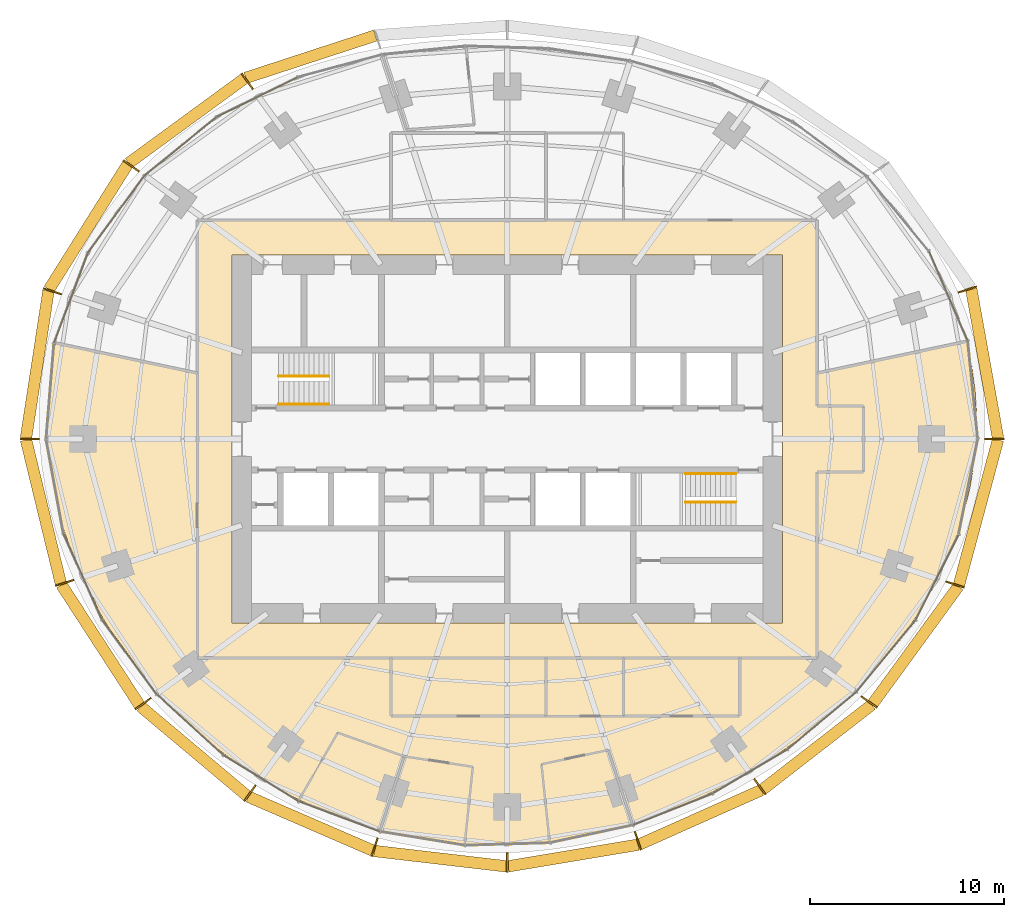
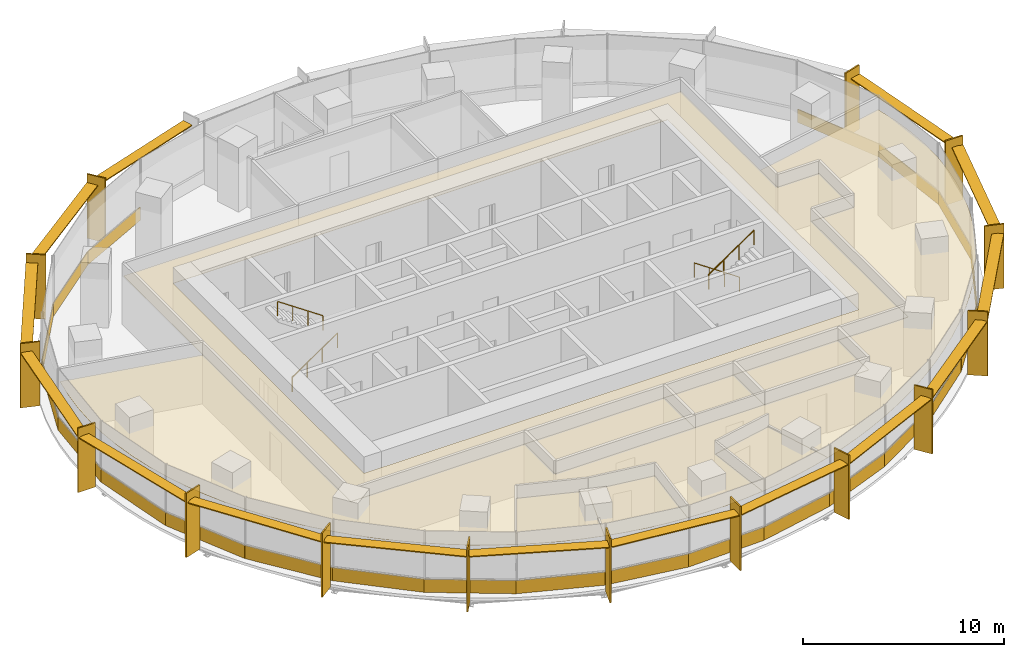
# One storey, part 14 of 15: 30 coverings, 30 shading devices, 4 railings.
"""IFC4 building model written with IfcOpenShell, lengths in metres."""

import ifcopenshell
import ifcopenshell.guid

model = None  # the IFC model being written
_history = None  # IfcOwnerHistory: only IFC2X3 demands one
_inside = {}  # id of a spatial element -> (the spatial element, [elements in it])
_under = {}  # id of a project, library or spatial element -> (it, [spatial elements below it])
_declared = {}  # id of a project -> (the project, [libraries it declares])
_typed = {}  # id of a type object -> (the type object, [elements of that type])
_made_of = {}  # id of a material, layer set ... -> (it, [elements and type objects made of it])


def new_model(schema):
    """Start an empty IFC model of exactly this schema.

    Asked for "IFC4X3", IfcOpenShell would pick the latest addendum, in which some entities
    have other attributes; the version numbers below select the first issue.
    IFC2X3 requires an IfcOwnerHistory on every rooted entity: one is made here for all.
    """
    global model, _history
    if schema == "IFC4X3":
        model = ifcopenshell.file(schema_version=(4, 3, 0, 0))
    else:
        model = ifcopenshell.file(schema=schema)
    _inside.clear()
    _under.clear()
    _declared.clear()
    _typed.clear()
    _made_of.clear()
    _history = None
    if model.schema == "IFC2X3":
        org = make("IfcOrganization", Name="unknown")
        user = make(
            "IfcPersonAndOrganization",
            ThePerson=make("IfcPerson", FamilyName="unknown"),
            TheOrganization=org,
        )
        app = make(
            "IfcApplication",
            ApplicationDeveloper=org,
            Version="unknown",
            ApplicationFullName="unknown",
            ApplicationIdentifier="unknown",
        )
        _history = make(
            "IfcOwnerHistory",
            OwningUser=user,
            OwningApplication=app,
            ChangeAction="ADDED",
            CreationDate=0,
        )
    return model


def make(cls, **values):
    """One entity of the class cls with the attributes given. An attribute that is None is left unset."""
    return model.create_entity(
        cls, **{name: value for name, value in values.items() if value is not None}
    )


def rooted(cls, **values):
    """An entity with a GlobalId (a new one), such as an element, a storey or a relation."""
    return make(cls, GlobalId=ifcopenshell.guid.new(), OwnerHistory=_history, **values)


def si_unit(unit_type, name, prefix=None):
    """IfcSIUnit, for example si_unit("LENGTHUNIT", "METRE", prefix="MILLI")."""
    return make("IfcSIUnit", UnitType=unit_type, Prefix=prefix, Name=name)


def assignment(units):
    """IfcUnitAssignment: the units of a project."""
    return None if units is None else make("IfcUnitAssignment", Units=units)


def point(xyz):
    """IfcCartesianPoint."""
    return None if xyz is None else make("IfcCartesianPoint", Coordinates=xyz)


def direction(xyz):
    """IfcDirection."""
    return None if xyz is None else make("IfcDirection", DirectionRatios=xyz)


def frame(location, z_axis=None, x_axis=None):
    """IfcAxis2Placement3D, a coordinate frame: its origin and axes. An axis left out is left unset."""
    return make(
        "IfcAxis2Placement3D",
        Location=point(location),
        Axis=direction(z_axis),
        RefDirection=direction(x_axis),
    )


def frame_2d(location, x_axis=None):
    """IfcAxis2Placement2D, a coordinate frame in the plane: its origin and x axis."""
    return make(
        "IfcAxis2Placement2D", Location=point(location), RefDirection=direction(x_axis)
    )


def origin():
    """The frame at (0, 0, 0) with its axes left unset."""
    return frame((0.0, 0.0, 0.0))


def origin_2d():
    """The frame at (0, 0) in the plane with its x axis left unset."""
    return frame_2d((0.0, 0.0))


def place(relative_to, where):
    """IfcLocalPlacement: puts the frame where relative to a parent placement (None: the world)."""
    return make(
        "IfcLocalPlacement", PlacementRelTo=relative_to, RelativePlacement=where
    )


def context(
    kind, dimensions, precision=None, world=None, true_north=None, identifier=None
):
    """IfcGeometricRepresentationContext, for example the 3D "Model" context."""
    return make(
        "IfcGeometricRepresentationContext",
        ContextIdentifier=identifier,
        ContextType=kind,
        CoordinateSpaceDimension=dimensions,
        Precision=precision,
        WorldCoordinateSystem=world,
        TrueNorth=true_north,
    )


def subcontext(parent, identifier, kind, view, scale=None):
    """IfcGeometricRepresentationSubContext, for example "Body" below "Model"."""
    return make(
        "IfcGeometricRepresentationSubContext",
        ContextIdentifier=identifier,
        ContextType=kind,
        ParentContext=parent,
        TargetScale=scale,
        TargetView=view,
    )


def project(units=None, contexts=None):
    """IfcProject with its units and contexts."""
    return rooted(
        "IfcProject",
        Name="project",
        RepresentationContexts=contexts,
        UnitsInContext=assignment(units),
    )


def spatial(cls, under=None, at=None, **own):
    """A site, building, storey or space (cls), placed at a placement, below another one or the project."""
    s = rooted(cls, ObjectPlacement=at, **own)
    if under is not None:
        _under.setdefault(under.id(), (under, []))[1].append(s)
    return s


def polyline(points):
    """IfcPolyline through the points."""
    return make("IfcPolyline", Points=[point(p) for p in points])


def profile(cls, at=None, kind="AREA", **sizes):
    """A parametric profile (cls). Its sizes go by their IFC names, for example OverallWidth=200.0."""
    return make(cls, ProfileType=kind, Position=at, **sizes)


def rectangle(**sizes):
    """IfcRectangleProfileDef."""
    return profile("IfcRectangleProfileDef", **sizes)


def circle(**sizes):
    """IfcCircleProfileDef."""
    return profile("IfcCircleProfileDef", **sizes)


def outline(outer, holes=None, kind="AREA"):
    """IfcArbitraryClosedProfileDef: a profile drawn as a closed curve; with holes, ...WithVoids."""
    if holes is None:
        return make("IfcArbitraryClosedProfileDef", ProfileType=kind, OuterCurve=outer)
    return make(
        "IfcArbitraryProfileDefWithVoids",
        ProfileType=kind,
        OuterCurve=outer,
        InnerCurves=holes,
    )


def extrude(swept, where, along, depth):
    """IfcExtrudedAreaSolid: the profile swept, set in the frame where, extruded along a direction by depth."""
    return make(
        "IfcExtrudedAreaSolid",
        SweptArea=swept,
        Position=where,
        ExtrudedDirection=direction(along),
        Depth=depth,
    )


def shape(context_of_items, identifier, shape_type, items):
    """IfcShapeRepresentation: the items that make up one representation, for example the "Body"."""
    return make(
        "IfcShapeRepresentation",
        ContextOfItems=context_of_items,
        RepresentationIdentifier=identifier,
        RepresentationType=shape_type,
        Items=items,
    )


def material(Name=None, Category=None):
    """IfcMaterial."""
    return make("IfcMaterial", Name=Name, Category=Category)


def layer(
    of_material, thickness, ventilated=None, Name=None, Category=None, Priority=None
):
    """IfcMaterialLayer: one layer of a wall or slab, of a material (None: an air gap)."""
    return make(
        "IfcMaterialLayer",
        Material=of_material,
        LayerThickness=thickness,
        IsVentilated=ventilated,
        Name=Name,
        Category=Category,
        Priority=Priority,
    )


def layer_set(layers, Name=None):
    """IfcMaterialLayerSet."""
    return make("IfcMaterialLayerSet", MaterialLayers=layers, LayerSetName=Name)


def made_of(thing, what):
    """Note that an element or type object is made of a material, layer set ...; save() writes the relation."""
    if what is not None:
        _made_of.setdefault(what.id(), (what, []))[1].append(thing)
    return thing


def type_object(cls, material=None, **own):
    """A type object (cls), such as IfcWallType, which elements share."""
    return made_of(rooted(cls, **own), material)


def element(
    cls,
    number,
    at=None,
    inside=None,
    cuts=None,
    type_object=None,
    material=None,
    context=None,
    identifier="Body",
    shape_type=None,
    held_by="IfcProductDefinitionShape",
    body=None,
    shapes=None,
    **own,
):
    """One element of the class cls, such as IfcWall. Its Tag is "e" and its number.

    at: its placement. inside: the storey or other place that contains it. cuts: it is an
    opening in that element (IfcRelVoidsElement). A single representation is given by context,
    identifier, shape_type and body (its items); several are given by shapes. held_by: the class
    of the entity that holds the representations. save() writes the other relations.
    """
    e = rooted(cls, Tag="e%d" % number, ObjectPlacement=at, **own)
    if body is not None:
        shapes = [shape(context, identifier, shape_type, body)]
    if shapes is not None:
        e.Representation = make(held_by, Representations=shapes)
    if inside is not None:
        _inside.setdefault(inside.id(), (inside, []))[1].append(e)
    if cuts is not None:
        rooted(
            "IfcRelVoidsElement", RelatingBuildingElement=cuts, RelatedOpeningElement=e
        )
    if type_object is not None:
        _typed.setdefault(type_object.id(), (type_object, []))[1].append(e)
    return made_of(e, material)


def aggregate(whole, parts):
    """IfcRelAggregates: a whole, such as a stair, and the parts it consists of."""
    return rooted("IfcRelAggregates", RelatingObject=whole, RelatedObjects=parts)


def save(model, path):
    """Write the relations noted so far, then the file.

    IfcRelAggregates (storeys below a building ...), IfcRelContainedInSpatialStructure (elements
    in a storey), IfcRelDefinesByType, IfcRelAssociatesMaterial and IfcRelDeclares: one each for
    every whole, place, type object, material and project.
    """
    for whole, parts in _under.values():
        aggregate(whole, parts)
    for where, things in _inside.values():
        rooted(
            "IfcRelContainedInSpatialStructure",
            RelatedElements=things,
            RelatingStructure=where,
        )
    for kind, things in _typed.values():
        rooted("IfcRelDefinesByType", RelatedObjects=things, RelatingType=kind)
    for what, things in _made_of.values():
        rooted("IfcRelAssociatesMaterial", RelatedObjects=things, RelatingMaterial=what)
    for by, libraries in _declared.values():
        rooted("IfcRelDeclares", RelatingContext=by, RelatedDefinitions=libraries)
    model.write(path)


model = new_model("IFC4")

# Units and contexts
model_context = context("Model", 3, precision=1e-05, world=origin(), true_north=direction((0.0, 1.0)))
body_context = subcontext(model_context, "Body", "Model", "MODEL_VIEW")
ifc_project = project(units=[si_unit("LENGTHUNIT", "METRE"), si_unit("AREAUNIT", "SQUARE_METRE"), si_unit("VOLUMEUNIT", "CUBIC_METRE"), si_unit("PLANEANGLEUNIT", "RADIAN"), si_unit("MASSUNIT", "GRAM", prefix="KILO")], contexts=[model_context])

# Site, building, storey
site_placement = place(None, origin())
site = spatial("IfcSite", under=ifc_project, at=site_placement, CompositionType="ELEMENT")
building_placement = place(site_placement, origin())
building = spatial("IfcBuilding", under=site, at=building_placement, Name="Marramba Exchange Tower", CompositionType="ELEMENT")
storey_placement = place(building_placement, frame((0.0, 0.0, 230.60009765625)))
storey = spatial("IfcBuildingStorey", under=building, at=storey_placement, Name="L56", CompositionType="ELEMENT", Elevation=230.60009765625)

# Shading devices
ifc_material_1 = material(Name="Aluminium blade, timber-look bronze finish", Category="wood")
ifc_layer_1 = layer(ifc_material_1, 0.080078125)
ifc_layer_set_1 = layer_set([ifc_layer_1], Name="Floor-edge blade 1000x80")
shading_device_type_1 = type_object("IfcShadingDeviceType", Name="Floor-edge blade 1000x80", PredefinedType="USERDEFINED", material=ifc_layer_set_1)
for number, where, z_axis, x_axis, name in (
    (1, (25.14404296875, 0.0, -0.16015625), (0.0, 0.0, 1.0), (1.0, 0.0, 0.0), "Floor-edge blade FB1 L56 TC01"),
    (2, (23.757080078125, 7.718994140625, -0.16015625), (0.0, 0.0, 1.0), (0.951056516295, 0.309016994375, 0.0), "Floor-edge blade FB1 L56 TC02"),
    (3, (-13.422607421875, 18.474609375, -0.16015625), (0.0, 0.0, 1.0), (-0.587785252292, 0.809016994375, 0.0), "Floor-edge blade FB1 L56 TC08"),
    (4, (-19.4140625, 14.105224609375, -0.16015625), (0.0, 0.0, 1.0), (-0.809016994375, 0.587785252292, 0.0), "Floor-edge blade FB1 L56 TC09"),
    (5, (-23.488525390625, 7.6318359375, -0.16015625), (0.0, 0.0, 1.0), (-0.951056516295, 0.309016994375, 0.0), "Floor-edge blade FB1 L56 TC10"),
    (6, (-24.656005859375, 0.0, -0.16015625), (0.0, 0.0, 1.0), (-1.0, 0.0, 0.0), "Floor-edge blade FB1 L56 TC11"),
    (7, (-22.848876953125, -7.424072265625, -0.16015625), (0.0, 0.0, 1.0), (-0.951056516295, -0.309016994375, 0.0), "Floor-edge blade FB1 L56 TC12"),
    (8, (-18.7998046875, -13.658935546875, -0.16015625), (0.0, 0.0, 1.0), (-0.809016994375, -0.587785252292, 0.0), "Floor-edge blade FB1 L56 TC13"),
    (9, (-13.2841796875, -18.2841796875, -0.16015625), (0.0, 0.0, 1.0), (-0.587785252292, -0.809016994375, 0.0), "Floor-edge blade FB1 L56 TC14"),
    (10, (-6.845703125, -21.069091796875, -0.16015625), (0.0, 0.0, 1.0), (-0.309016994375, -0.951056516295, 0.0), "Floor-edge blade FB1 L56 TC15"),
    (11, (0.0, -21.86376953125, -0.16015625), (0.0, 0.0, 1.0), (0.0, -1.0, 0.0), "Floor-edge blade FB1 L56 TC16"),
    (12, (6.739501953125, -20.741943359375, -0.16015625), (0.0, 0.0, 1.0), (0.309016994375, -0.951056516295, 0.0), "Floor-edge blade FB1 L56 TC17"),
    (13, (13.0380859375, -17.9453125, -0.16015625), (0.0, 0.0, 1.0), (0.587785252292, -0.809016994375, 0.0), "Floor-edge blade FB1 L56 TC18"),
    (14, (18.6845703125, -13.5751953125, -0.16015625), (0.0, 0.0, 1.0), (0.809016994375, -0.587785252292, 0.0), "Floor-edge blade FB1 L56 TC19"),
    (15, (23.1171875, -7.51123046875, -0.16015625), (0.0, 0.0, 1.0), (0.951056516295, -0.309016994375, 0.0), "Floor-edge blade FB1 L56 TC20"),
):
    element("IfcShadingDevice", number, at=place(storey_placement, frame(where, z_axis=z_axis, x_axis=x_axis)), inside=storey, type_object=shading_device_type_1, Name=name, ObjectType="FIN", PredefinedType="USERDEFINED", context=body_context, shape_type="SweptSolid", body=[
        extrude(rectangle(XDim=1.0, YDim=0.080078125, at=origin_2d()), origin(), (0.0, 0.0, 1.0), 3.89990234375),
    ])
ifc_material_2 = material(Name="Aluminium sunshade, bronze anodised", Category="aluminium")
ifc_layer_2 = layer(ifc_material_2, 0.06005859375)
ifc_layer_set_2 = layer_set([ifc_layer_2], Name="SUNSHADE blade 600x60")
shading_device_type_2 = type_object("IfcShadingDeviceType", Name="SUNSHADE blade 600x60", PredefinedType="USERDEFINED", material=ifc_layer_set_2)
shading_device_1_placement = place(storey_placement, frame((24.6455078125, 3.890380859375, 3.159912109375), z_axis=(0.0, 0.0, 1.0), x_axis=(-0.176690623809, 0.984266439262, 0.0)))
element("IfcShadingDevice", 16, at=shading_device_1_placement, inside=storey, type_object=shading_device_type_2, Name="Sunshade SS1 L56 bay 01", ObjectType="SUNSHADE", PredefinedType="USERDEFINED", context=body_context, shape_type="SweptSolid", body=[
    extrude(rectangle(XDim=7.8251953125, YDim=0.60009765625, at=origin_2d()), origin(), (0.0, 0.0, 1.0), 0.06005859375),
])
shading_device_2_placement = place(storey_placement, frame((-10.156982421875, 19.741943359375, 3.159912109375), z_axis=(0.0, 0.0, 1.0), x_axis=(-0.950537602937, -0.310609506297, 0.0)))
element("IfcShadingDevice", 17, at=shading_device_2_placement, inside=storey, type_object=shading_device_type_2, Name="Sunshade SS1 L56 bay 07", ObjectType="SUNSHADE", PredefinedType="USERDEFINED", context=body_context, shape_type="SweptSolid", body=[
    extrude(rectangle(XDim=7.03857421875, YDim=0.60009765625, at=origin_2d()), origin(), (0.0, 0.0, 1.0), 0.06005859375),
])
shading_device_3_placement = place(storey_placement, frame((-16.55810546875, 16.4296875, 3.159912109375), z_axis=(0.0, 0.0, 1.0), x_axis=(-0.80719390073, -0.59028637679, 0.0)))
element("IfcShadingDevice", 18, at=shading_device_3_placement, inside=storey, type_object=shading_device_type_2, Name="Sunshade SS1 L56 bay 08", ObjectType="SUNSHADE", PredefinedType="USERDEFINED", context=body_context, shape_type="SweptSolid", body=[
    extrude(rectangle(XDim=7.3974609375, YDim=0.60009765625, at=origin_2d()), origin(), (0.0, 0.0, 1.0), 0.06005859375),
])
shading_device_4_placement = place(storey_placement, frame((-21.62744140625, 10.958251953125, 3.159912109375), z_axis=(0.0, 0.0, 1.0), x_axis=(-0.532082259983, -0.846692664792, 0.0)))
element("IfcShadingDevice", 19, at=shading_device_4_placement, inside=storey, type_object=shading_device_type_2, Name="Sunshade SS1 L56 bay 09", ObjectType="SUNSHADE", PredefinedType="USERDEFINED", context=body_context, shape_type="SweptSolid", body=[
    extrude(rectangle(XDim=7.631103515625, YDim=0.60009765625, at=origin_2d()), origin(), (0.0, 0.0, 1.0), 0.06005859375),
])
shading_device_5_placement = place(storey_placement, frame((-24.267333984375, 3.846923828125, 3.159912109375), z_axis=(0.0, 0.0, 1.0), x_axis=(-0.151240669327, -0.988496970123, 0.0)))
element("IfcShadingDevice", 20, at=shading_device_5_placement, inside=storey, type_object=shading_device_type_2, Name="Sunshade SS1 L56 bay 10", ObjectType="SUNSHADE", PredefinedType="USERDEFINED", context=body_context, shape_type="SweptSolid", body=[
    extrude(rectangle(XDim=7.703369140625, YDim=0.60009765625, at=origin_2d()), origin(), (0.0, 0.0, 1.0), 0.06005859375),
])
shading_device_6_placement = place(storey_placement, frame((-23.947509765625, -3.742919921875, 3.159912109375), z_axis=(0.0, 0.0, 1.0), x_axis=(0.235861488454, -0.971786683519, 0.0)))
element("IfcShadingDevice", 21, at=shading_device_6_placement, inside=storey, type_object=shading_device_type_2, Name="Sunshade SS1 L56 bay 11", ObjectType="SUNSHADE", PredefinedType="USERDEFINED", context=body_context, shape_type="SweptSolid", body=[
    extrude(rectangle(XDim=7.623291015625, YDim=0.60009765625, at=origin_2d()), origin(), (0.0, 0.0, 1.0), 0.06005859375),
])
shading_device_7_placement = place(storey_placement, frame((-21.000244140625, -10.631103515625, 3.159912109375), z_axis=(0.0, 0.0, 1.0), x_axis=(0.543921771105, -0.839135928749, 0.0)))
element("IfcShadingDevice", 22, at=shading_device_7_placement, inside=storey, type_object=shading_device_type_2, Name="Sunshade SS1 L56 bay 12", ObjectType="SUNSHADE", PredefinedType="USERDEFINED", context=body_context, shape_type="SweptSolid", body=[
    extrude(rectangle(XDim=7.41650390625, YDim=0.60009765625, at=origin_2d()), origin(), (0.0, 0.0, 1.0), 0.06005859375),
])
shading_device_8_placement = place(storey_placement, frame((-16.181640625, -16.111083984375, 3.159912109375), z_axis=(0.0, 0.0, 1.0), x_axis=(0.765761970568, -0.643124097225, 0.0)))
element("IfcShadingDevice", 23, at=shading_device_8_placement, inside=storey, type_object=shading_device_type_2, Name="Sunshade SS1 L56 bay 13", ObjectType="SUNSHADE", PredefinedType="USERDEFINED", context=body_context, shape_type="SweptSolid", body=[
    extrude(rectangle(XDim=7.1806640625, YDim=0.60009765625, at=origin_2d()), origin(), (0.0, 0.0, 1.0), 0.06005859375),
])
shading_device_9_placement = place(storey_placement, frame((-10.154541015625, -19.8525390625, 3.159912109375), z_axis=(0.0, 0.0, 1.0), x_axis=(0.917589256742, -0.397529817639, 0.0)))
element("IfcShadingDevice", 24, at=shading_device_9_placement, inside=storey, type_object=shading_device_type_2, Name="Sunshade SS1 L56 bay 14", ObjectType="SUNSHADE", PredefinedType="USERDEFINED", context=body_context, shape_type="SweptSolid", body=[
    extrude(rectangle(XDim=6.997314453125, YDim=0.60009765625, at=origin_2d()), origin(), (0.0, 0.0, 1.0), 0.06005859375),
])
shading_device_10_placement = place(storey_placement, frame((-3.453857421875, -21.66162109375, 3.159912109375), z_axis=(0.0, 0.0, 1.0), x_axis=(0.993288257497, -0.1156651958, 0.0)))
element("IfcShadingDevice", 25, at=shading_device_10_placement, inside=storey, type_object=shading_device_type_2, Name="Sunshade SS1 L56 bay 15", ObjectType="SUNSHADE", PredefinedType="USERDEFINED", context=body_context, shape_type="SweptSolid", body=[
    extrude(rectangle(XDim=6.874267578125, YDim=0.60009765625, at=origin_2d()), origin(), (0.0, 0.0, 1.0), 0.06005859375),
])
shading_device_11_placement = place(storey_placement, frame((3.400634765625, -21.498046875, 3.159912109375), z_axis=(0.0, 0.0, 1.0), x_axis=(0.986439622954, 0.164124557168, 0.0)))
element("IfcShadingDevice", 26, at=shading_device_11_placement, inside=storey, type_object=shading_device_type_2, Name="Sunshade SS1 L56 bay 16", ObjectType="SUNSHADE", PredefinedType="USERDEFINED", context=body_context, shape_type="SweptSolid", body=[
    extrude(rectangle(XDim=6.814697265625, YDim=0.60009765625, at=origin_2d()), origin(), (0.0, 0.0, 1.0), 0.06005859375),
])
shading_device_12_placement = place(storey_placement, frame((9.978515625, -19.519775390625, 3.159912109375), z_axis=(0.0, 0.0, 1.0), x_axis=(0.913771678576, 0.406228161792, 0.0)))
element("IfcShadingDevice", 27, at=shading_device_12_placement, inside=storey, type_object=shading_device_type_2, Name="Sunshade SS1 L56 bay 17", ObjectType="SUNSHADE", PredefinedType="USERDEFINED", context=body_context, shape_type="SweptSolid", body=[
    extrude(rectangle(XDim=6.8740234375, YDim=0.60009765625, at=origin_2d()), origin(), (0.0, 0.0, 1.0), 0.06005859375),
])
shading_device_13_placement = place(storey_placement, frame((16.0009765625, -15.89990234375, 3.159912109375), z_axis=(0.0, 0.0, 1.0), x_axis=(0.790133082515, 0.612935324414, 0.0)))
element("IfcShadingDevice", 28, at=shading_device_13_placement, inside=storey, type_object=shading_device_type_2, Name="Sunshade SS1 L56 bay 18", ObjectType="SUNSHADE", PredefinedType="USERDEFINED", context=body_context, shape_type="SweptSolid", body=[
    extrude(rectangle(XDim=7.122314453125, YDim=0.60009765625, at=origin_2d()), origin(), (0.0, 0.0, 1.0), 0.06005859375),
])
shading_device_14_placement = place(storey_placement, frame((21.076904296875, -10.6328125, 3.159912109375), z_axis=(0.0, 0.0, 1.0), x_axis=(0.589071758439, 0.808080728275, 0.0)))
element("IfcShadingDevice", 29, at=shading_device_14_placement, inside=storey, type_object=shading_device_type_2, Name="Sunshade SS1 L56 bay 19", ObjectType="SUNSHADE", PredefinedType="USERDEFINED", context=body_context, shape_type="SweptSolid", body=[
    extrude(rectangle(XDim=7.4931640625, YDim=0.60009765625, at=origin_2d()), origin(), (0.0, 0.0, 1.0), 0.06005859375),
])
shading_device_15_placement = place(storey_placement, frame((24.32568359375, -3.78662109375, 3.159912109375), z_axis=(0.0, 0.0, 1.0), x_axis=(0.259692365654, 0.965691397508, 0.0)))
element("IfcShadingDevice", 30, at=shading_device_15_placement, inside=storey, type_object=shading_device_type_2, Name="Sunshade SS1 L56 bay 20", ObjectType="SUNSHADE", PredefinedType="USERDEFINED", context=body_context, shape_type="SweptSolid", body=[
    extrude(rectangle(XDim=7.76220703125, YDim=0.60009765625, at=origin_2d()), origin(), (0.0, 0.0, 1.0), 0.06005859375),
])

# Coverings
ifc_material_3 = material(Name="Aluminium spandrel panel, bronze anodised, insulated", Category="aluminium")
ifc_layer_3 = layer(ifc_material_3, 0.050048828125)
ifc_layer_set_3 = layer_set([ifc_layer_3], Name="Spandrel panel 800")
covering_type_1 = type_object("IfcCoveringType", Name="Spandrel panel 800", PredefinedType="CLADDING", material=ifc_layer_set_3)
covering_1_placement = place(storey_placement, frame((24.036376953125, 2.527099609375, 0.0), z_axis=(0.0, 0.0, 1.0), x_axis=(-0.101422478545, 0.994843445395, 0.0)))
element("IfcCovering", 31, at=covering_1_placement, inside=storey, type_object=covering_type_1, Name="Spandrel panel SP1 L56 F01", PredefinedType="CLADDING", context=body_context, shape_type="SweptSolid", body=[
    extrude(rectangle(XDim=5.08056640625, YDim=0.050048828125, at=origin_2d()), origin(), (0.0, 0.0, 1.0), 0.800048828125),
])
covering_2_placement = place(storey_placement, frame((22.77734375, 7.374755859375, 0.0), z_axis=(0.0, 0.0, 1.0), x_axis=(-0.396193349205, 0.918167103552, 0.0)))
element("IfcCovering", 32, at=covering_2_placement, inside=storey, type_object=covering_type_1, Name="Spandrel panel SP1 L56 F02", PredefinedType="CLADDING", context=body_context, shape_type="SweptSolid", body=[
    extrude(rectangle(XDim=5.0546875, YDim=0.050048828125, at=origin_2d()), origin(), (0.0, 0.0, 1.0), 0.800048828125),
])
covering_3_placement = place(storey_placement, frame((-12.88818359375, 17.666748046875, 0.0), z_axis=(0.0, 0.0, 1.0), x_axis=(-0.898500520314, -0.438972453572, 0.0)))
element("IfcCovering", 33, at=covering_3_placement, inside=storey, type_object=covering_type_1, Name="Spandrel panel SP1 L56 F11", PredefinedType="CLADDING", context=body_context, shape_type="SweptSolid", body=[
    extrude(rectangle(XDim=4.667236328125, YDim=0.050048828125, at=origin_2d()), origin(), (0.0, 0.0, 1.0), 0.800048828125),
])
covering_4_placement = place(storey_placement, frame((-16.855712890625, 15.1240234375, 0.0), z_axis=(0.0, 0.0, 1.0), x_axis=(-0.776432169123, -0.630200830491, 0.0)))
element("IfcCovering", 34, at=covering_4_placement, inside=storey, type_object=covering_type_1, Name="Spandrel panel SP1 L56 F12", PredefinedType="CLADDING", context=body_context, shape_type="SweptSolid", body=[
    extrude(rectangle(XDim=4.81884765625, YDim=0.050048828125, at=origin_2d()), origin(), (0.0, 0.0, 1.0), 0.800048828125),
])
covering_5_placement = place(storey_placement, frame((-20.184326171875, 11.62060546875, 0.0), z_axis=(0.0, 0.0, 1.0), x_axis=(-0.591962919465, -0.805965198987, 0.0)))
element("IfcCovering", 35, at=covering_5_placement, inside=storey, type_object=covering_type_1, Name="Spandrel panel SP1 L56 F13", PredefinedType="CLADDING", context=body_context, shape_type="SweptSolid", body=[
    extrude(rectangle(XDim=4.925537109375, YDim=0.050048828125, at=origin_2d()), origin(), (0.0, 0.0, 1.0), 0.800048828125),
])
covering_6_placement = place(storey_placement, frame((-22.518798828125, 7.30419921875, 0.0), z_axis=(0.0, 0.0, 1.0), x_axis=(-0.351951514464, -0.936018232443, 0.0)))
element("IfcCovering", 36, at=covering_6_placement, inside=storey, type_object=covering_type_1, Name="Spandrel panel SP1 L56 F14", PredefinedType="CLADDING", context=body_context, shape_type="SweptSolid", body=[
    extrude(rectangle(XDim=4.981689453125, YDim=0.050048828125, at=origin_2d()), origin(), (0.0, 0.0, 1.0), 0.800048828125),
])
covering_7_placement = place(storey_placement, frame((-23.600830078125, 2.486328125, 0.0), z_axis=(0.0, 0.0, 1.0), x_axis=(-0.082280881776, -0.996609179415, 0.0)))
element("IfcCovering", 37, at=covering_7_placement, inside=storey, type_object=covering_type_1, Name="Spandrel panel SP1 L56 F15", PredefinedType="CLADDING", context=body_context, shape_type="SweptSolid", body=[
    extrude(rectangle(XDim=4.98974609375, YDim=0.050048828125, at=origin_2d()), origin(), (0.0, 0.0, 1.0), 0.800048828125),
])
covering_8_placement = place(storey_placement, frame((-23.359619140625, -2.43505859375, 0.0), z_axis=(0.0, 0.0, 1.0), x_axis=(0.180327442841, -0.983606635479, 0.0)))
element("IfcCovering", 38, at=covering_8_placement, inside=storey, type_object=covering_type_1, Name="Spandrel panel SP1 L56 F16", PredefinedType="CLADDING", context=body_context, shape_type="SweptSolid", body=[
    extrude(rectangle(XDim=4.951416015625, YDim=0.050048828125, at=origin_2d()), origin(), (0.0, 0.0, 1.0), 0.800048828125),
])
covering_9_placement = place(storey_placement, frame((-21.920654296875, -7.093994140625, 0.0), z_axis=(0.0, 0.0, 1.0), x_axis=(0.407557582153, -0.913179509861, 0.0)))
element("IfcCovering", 39, at=covering_9_placement, inside=storey, type_object=covering_type_1, Name="Spandrel panel SP1 L56 F17", PredefinedType="CLADDING", context=body_context, shape_type="SweptSolid", body=[
    extrude(rectangle(XDim=4.870361328125, YDim=0.050048828125, at=origin_2d()), origin(), (0.0, 0.0, 1.0), 0.800048828125),
])
covering_10_placement = place(storey_placement, frame((-19.520263671875, -11.238525390625, 0.0), z_axis=(0.0, 0.0, 1.0), x_axis=(0.591223097085, -0.80650805915, 0.0)))
element("IfcCovering", 40, at=covering_10_placement, inside=storey, type_object=covering_type_1, Name="Spandrel panel SP1 L56 F18", PredefinedType="CLADDING", context=body_context, shape_type="SweptSolid", body=[
    extrude(rectangle(XDim=4.762939453125, YDim=0.050048828125, at=origin_2d()), origin(), (0.0, 0.0, 1.0), 0.800048828125),
])
covering_11_placement = place(storey_placement, frame((-16.396240234375, -14.73193359375, 0.0), z_axis=(0.0, 0.0, 1.0), x_axis=(0.737203259599, -0.67567103981, 0.0)))
element("IfcCovering", 41, at=covering_11_placement, inside=storey, type_object=covering_type_1, Name="Spandrel panel SP1 L56 F19", PredefinedType="CLADDING", context=body_context, shape_type="SweptSolid", body=[
    extrude(rectangle(XDim=4.65478515625, YDim=0.050048828125, at=origin_2d()), origin(), (0.0, 0.0, 1.0), 0.800048828125),
])
covering_12_placement = place(storey_placement, frame((-12.73583984375, -17.497802734375, 0.0), z_axis=(0.0, 0.0, 1.0), x_axis=(0.852301010692, -0.52305161043, 0.0)))
element("IfcCovering", 42, at=covering_12_placement, inside=storey, type_object=covering_type_1, Name="Spandrel panel SP1 L56 F20", PredefinedType="CLADDING", context=body_context, shape_type="SweptSolid", body=[
    extrude(rectangle(XDim=4.563232421875, YDim=0.050048828125, at=origin_2d()), origin(), (0.0, 0.0, 1.0), 0.800048828125),
])
covering_13_placement = place(storey_placement, frame((-8.687255859375, -19.47607421875, 0.0), z_axis=(0.0, 0.0, 1.0), x_axis=(0.936951581946, -0.349459200892, 0.0)))
element("IfcCovering", 43, at=covering_13_placement, inside=storey, type_object=covering_type_1, Name="Spandrel panel SP1 L56 F21", PredefinedType="CLADDING", context=body_context, shape_type="SweptSolid", body=[
    extrude(rectangle(XDim=4.491455078125, YDim=0.050048828125, at=origin_2d()), origin(), (0.0, 0.0, 1.0), 0.800048828125),
])
covering_14_placement = place(storey_placement, frame((-4.393798828125, -20.6181640625, 0.0), z_axis=(0.0, 0.0, 1.0), x_axis=(0.98693062179, -0.161145734582, 0.0)))
element("IfcCovering", 44, at=covering_14_placement, inside=storey, type_object=covering_type_1, Name="Spandrel panel SP1 L56 F22", PredefinedType="CLADDING", context=body_context, shape_type="SweptSolid", body=[
    extrude(rectangle(XDim=4.4365234375, YDim=0.050048828125, at=origin_2d()), origin(), (0.0, 0.0, 1.0), 0.800048828125),
])
covering_15_placement = place(storey_placement, frame((-0.0068359375, -20.9111328125, 0.0), z_axis=(0.0, 0.0, 1.0), x_axis=(0.99956791932, 0.02939344597, 0.0)))
element("IfcCovering", 45, at=covering_15_placement, inside=storey, type_object=covering_type_1, Name="Spandrel panel SP1 L56 F23", PredefinedType="CLADDING", context=body_context, shape_type="SweptSolid", body=[
    extrude(rectangle(XDim=4.3974609375, YDim=0.050048828125, at=origin_2d()), origin(), (0.0, 0.0, 1.0), 0.800048828125),
])
covering_16_placement = place(storey_placement, frame((4.333984375, -20.389892578125, 0.0), z_axis=(0.0, 0.0, 1.0), x_axis=(0.978058068956, 0.208332459664, 0.0)))
element("IfcCovering", 46, at=covering_16_placement, inside=storey, type_object=covering_type_1, Name="Spandrel panel SP1 L56 F24", PredefinedType="CLADDING", context=body_context, shape_type="SweptSolid", body=[
    extrude(rectangle(XDim=4.3818359375, YDim=0.050048828125, at=origin_2d()), origin(), (0.0, 0.0, 1.0), 0.800048828125),
])
covering_17_placement = place(storey_placement, frame((8.525390625, -19.124267578125, 0.0), z_axis=(0.0, 0.0, 1.0), x_axis=(0.93007301151, 0.367374731386, 0.0)))
element("IfcCovering", 47, at=covering_17_placement, inside=storey, type_object=covering_type_1, Name="Spandrel panel SP1 L56 F25", PredefinedType="CLADDING", context=body_context, shape_type="SweptSolid", body=[
    extrude(rectangle(XDim=4.405517578125, YDim=0.050048828125, at=origin_2d()), origin(), (0.0, 0.0, 1.0), 0.800048828125),
])
covering_18_placement = place(storey_placement, frame((12.50634765625, -17.175537109375, 0.0), z_axis=(0.0, 0.0, 1.0), x_axis=(0.861350829898, 0.508010578466, 0.0)))
element("IfcCovering", 48, at=covering_18_placement, inside=storey, type_object=covering_type_1, Name="Spandrel panel SP1 L56 F26", PredefinedType="CLADDING", context=body_context, shape_type="SweptSolid", body=[
    extrude(rectangle(XDim=4.486572265625, YDim=0.050048828125, at=origin_2d()), origin(), (0.0, 0.0, 1.0), 0.800048828125),
])
covering_19_placement = place(storey_placement, frame((16.2177734375, -14.5556640625, 0.0), z_axis=(0.0, 0.0, 1.0), x_axis=(0.768736803132, 0.639565264465, 0.0)))
element("IfcCovering", 49, at=covering_19_placement, inside=storey, type_object=covering_type_1, Name="Spandrel panel SP1 L56 F27", PredefinedType="CLADDING", context=body_context, shape_type="SweptSolid", body=[
    extrude(rectangle(XDim=4.628662109375, YDim=0.050048828125, at=origin_2d()), origin(), (0.0, 0.0, 1.0), 0.800048828125),
])
covering_20_placement = place(storey_placement, frame((19.529541015625, -11.2265625, 0.0), z_axis=(0.0, 0.0, 1.0), x_axis=(0.638149992226, 0.769912064733, 0.0)))
element("IfcCovering", 50, at=covering_20_placement, inside=storey, type_object=covering_type_1, Name="Spandrel panel SP1 L56 F28", PredefinedType="CLADDING", context=body_context, shape_type="SweptSolid", body=[
    extrude(rectangle(XDim=4.80322265625, YDim=0.050048828125, at=origin_2d()), origin(), (0.0, 0.0, 1.0), 0.800048828125),
])
covering_21_placement = place(storey_placement, frame((22.17919921875, -7.16455078125, 0.0), z_axis=(0.0, 0.0, 1.0), x_axis=(0.450673091404, 0.892689063832, 0.0)))
element("IfcCovering", 51, at=covering_21_placement, inside=storey, type_object=covering_type_1, Name="Spandrel panel SP1 L56 F29", PredefinedType="CLADDING", context=body_context, shape_type="SweptSolid", body=[
    extrude(rectangle(XDim=4.957763671875, YDim=0.050048828125, at=origin_2d()), origin(), (0.0, 0.0, 1.0), 0.800048828125),
])
covering_22_placement = place(storey_placement, frame((23.795166015625, -2.475830078125, 0.0), z_axis=(0.0, 0.0, 1.0), x_axis=(0.197495401381, 0.980303813332, 0.0)))
element("IfcCovering", 52, at=covering_22_placement, inside=storey, type_object=covering_type_1, Name="Spandrel panel SP1 L56 F30", PredefinedType="CLADDING", context=body_context, shape_type="SweptSolid", body=[
    extrude(rectangle(XDim=5.05126953125, YDim=0.050048828125, at=origin_2d()), origin(), (0.0, 0.0, 1.0), 0.800048828125),
])

# Railings
ifc_material_4 = material(Name="Stainless steel handrail", Category="steel")
railing_type = type_object("IfcRailingType", Name="Stair handrail 900", PredefinedType="HANDRAIL", material=ifc_material_4)
railing_1_placement = place(storey_placement, frame((-11.800048828125, 1.800048828125, 0.17724609375)))
element("IfcRailing", 53, at=railing_1_placement, inside=storey, type_object=railing_type, Name="Handrail HR1 ST1 L56 flight 1", PredefinedType="HANDRAIL", context=body_context, shape_type="SweptSolid", body=[
    extrude(circle(Radius=0.02392578125, at=origin_2d()), frame((0.0, 0.0, 0.8759765625), z_axis=(0.826240473404, 0.0, 0.563317565952), x_axis=(0.0, 1.0, 0.0)), (0.0, 0.0, 1.0), 3.14697265625),
    extrude(circle(Radius=0.02099609375, at=origin_2d()), origin(), (0.0, 0.0, 1.0), 0.851806640625),
    extrude(circle(Radius=0.02099609375, at=origin_2d()), frame((0.86669921875, 0.0, 0.5908203125)), (0.0, 0.0, 1.0), 0.851806640625),
    extrude(circle(Radius=0.02099609375, at=origin_2d()), frame((1.7333984375, 0.0, 1.181884765625)), (0.0, 0.0, 1.0), 0.851806640625),
    extrude(circle(Radius=0.02099609375, at=origin_2d()), frame((2.60009765625, 0.0, 1.772705078125)), (0.0, 0.0, 1.0), 0.851806640625),
])
for number, where, name in (
    (54, (-9.199951171875, 3.25, 2.127197265625), "Handrail HR1 ST1 L56 flight 2"),
    (55, (11.800048828125, -1.800048828125, 0.17724609375), "Handrail HR1 ST2 L56 flight 1"),
):
    element("IfcRailing", number, at=place(storey_placement, frame(where)), inside=storey, type_object=railing_type, Name=name, PredefinedType="HANDRAIL", context=body_context, shape_type="SweptSolid", body=[
        extrude(circle(Radius=0.02392578125, at=origin_2d()), frame((0.0, 0.0, 0.8759765625), z_axis=(-0.826240473404, 0.0, 0.563317565952), x_axis=(0.0, -1.0, 0.0)), (0.0, 0.0, 1.0), 3.14697265625),
        extrude(circle(Radius=0.02099609375, at=origin_2d()), origin(), (0.0, 0.0, 1.0), 0.851806640625),
        extrude(circle(Radius=0.02099609375, at=origin_2d()), frame((-0.86669921875, 0.0, 0.5908203125)), (0.0, 0.0, 1.0), 0.851806640625),
        extrude(circle(Radius=0.02099609375, at=origin_2d()), frame((-1.7333984375, 0.0, 1.181884765625)), (0.0, 0.0, 1.0), 0.851806640625),
        extrude(circle(Radius=0.02099609375, at=origin_2d()), frame((-2.60009765625, 0.0, 1.772705078125)), (0.0, 0.0, 1.0), 0.851806640625),
    ])
railing_2_placement = place(storey_placement, frame((9.199951171875, -3.25, 2.127197265625)))
element("IfcRailing", 56, at=railing_2_placement, inside=storey, type_object=railing_type, Name="Handrail HR1 ST2 L56 flight 2", PredefinedType="HANDRAIL", context=body_context, shape_type="SweptSolid", body=[
    extrude(circle(Radius=0.02392578125, at=origin_2d()), frame((0.0, 0.0, 0.8759765625), z_axis=(0.826240473404, 0.0, 0.563317565952), x_axis=(0.0, 1.0, 0.0)), (0.0, 0.0, 1.0), 3.14697265625),
    extrude(circle(Radius=0.02099609375, at=origin_2d()), origin(), (0.0, 0.0, 1.0), 0.851806640625),
    extrude(circle(Radius=0.02099609375, at=origin_2d()), frame((0.86669921875, 0.0, 0.5908203125)), (0.0, 0.0, 1.0), 0.851806640625),
    extrude(circle(Radius=0.02099609375, at=origin_2d()), frame((1.7333984375, 0.0, 1.181884765625)), (0.0, 0.0, 1.0), 0.851806640625),
    extrude(circle(Radius=0.02099609375, at=origin_2d()), frame((2.60009765625, 0.0, 1.772705078125)), (0.0, 0.0, 1.0), 0.851806640625),
])

# Coverings
ifc_material_5 = material(Name="Mineral fibre ceiling tiles", Category="gypsum")
ifc_layer_4 = layer(ifc_material_5, 0.02001953125)
ifc_layer_set_4 = layer_set([ifc_layer_4], Name="Suspended ceiling 20")
covering_type_2 = type_object("IfcCoveringType", Name="Suspended ceiling 20", PredefinedType="CEILING", material=ifc_layer_set_4)
covering_23_placement = place(storey_placement, frame((0.0, 0.0, 2.89990234375)))
element("IfcCovering", 57, at=covering_23_placement, inside=storey, type_object=covering_type_2, Name="Ceiling CL1 L56 Open Plan Office 2", PredefinedType="CEILING", context=body_context, shape_type="SweptSolid", body=[
    extrude(outline(polyline([(24.15234375, 2.53857421875), (24.23193359375, 1.27001953125), (24.214111328125, 0.0), (24.10009765625, -1.262939453125), (23.89306640625, -2.51123046875), (23.597412109375, -3.737548828125), (23.218017578125, -4.935302734375), (22.760986328125, -6.098876953125), (22.23291015625, -7.223876953125), (21.639892578125, -8.306884765625), (20.989013671875, -9.344970703125), (20.286865234375, -10.336669921875), (19.539794921875, -11.28125), (18.753173828125, -12.178466796875), (17.93212890625, -13.028564453125), (17.08154296875, -13.832275390625), (16.204833984375, -14.5908203125), (15.30517578125, -15.30517578125), (14.38525390625, -15.976318359375), (13.44677734375, -16.60546875), (12.491455078125, -17.193115234375), (11.520263671875, -17.73974609375), (10.5341796875, -18.245849609375), (9.53369140625, -18.711181640625), (8.51953125, -19.13525390625), (7.4921875, -19.517578125), (6.4521484375, -19.857421875), (5.216064453125, -16.05322265625), (1.7646484375, -16.788818359375), (2.1826171875, -20.766845703125), (1.093994140625, -20.875244140625), (0.0, -20.93359375), (-1.097412109375, -20.94091796875), (-2.1962890625, -20.89599609375), (-1.7783203125, -16.91796875), (-5.322265625, -16.38037109375), (-8.75146484375, -15.15771484375), (-10.75146484375, -18.621826171875), (-11.755615234375, -18.101806640625), (-12.737548828125, -17.53173828125), (-13.6953125, -16.912353515625), (-14.626953125, -16.2451171875), (-15.5302734375, -15.5302734375), (-16.403076171875, -14.769287109375), (-17.242919921875, -13.962890625), (-18.04736328125, -13.1123046875), (-18.81396484375, -12.218017578125), (-19.539794921875, -11.28125), (-20.22119140625, -10.30322265625), (-20.85498046875, -9.285400390625), (-21.4375, -8.22900390625), (-21.96435546875, -7.13671875), (-22.431640625, -6.010498046875), (-22.8349609375, -4.853759765625), (-23.169921875, -3.669677734375), (-23.432373046875, -2.462890625), (-23.618896484375, -1.23779296875), (-23.72607421875, 0.0), (-23.7509765625, 1.24462890625), (-23.691650390625, 2.489990234375), (-23.547119140625, 3.7294921875), (-23.317138671875, 4.956298828125), (-16.0, 3.40087890625), (-16.0, -11.300048828125), (-6.0, -11.300048828125), (-6.0, -14.300048828125), (2.0, -14.300048828125), (6.0, -14.300048828125), (12.0, -14.300048828125), (12.0, -11.300048828125), (16.0, -11.300048828125), (16.0, -1.699951171875), (18.39990234375, -1.699951171875), (18.39990234375, 1.699951171875), (16.0, 1.699951171875), (16.0, 3.40087890625), (20.684814453125, 4.396728515625), (23.700439453125, 5.03759765625), (23.974853515625, 3.797119140625), (24.15234375, 2.53857421875)])), origin(), (0.0, 0.0, 1.0), 0.02001953125),
])
covering_24_placement = place(storey_placement, frame((0.0, 0.0, 2.89990234375)))
element("IfcCovering", 58, at=covering_24_placement, inside=storey, type_object=covering_type_2, Name="Ceiling CL1 L56 Corridor", PredefinedType="CEILING", context=body_context, shape_type="SweptSolid", body=[
    extrude(outline(polyline([(18.39990234375, 1.699951171875), (18.39990234375, -1.699951171875), (16.0, -1.699951171875), (16.0, -11.300048828125), (-16.0, -11.300048828125), (-16.0, 11.300048828125), (16.0, 11.300048828125), (16.0, 1.699951171875), (18.39990234375, 1.699951171875)]), holes=[polyline([(14.199951171875, -1.699951171875), (14.199951171875, 1.699951171875), (14.199951171875, 9.5), (-14.199951171875, 9.5), (-14.199951171875, -9.5), (14.199951171875, -9.5), (14.199951171875, -1.699951171875)])]), origin(), (0.0, 0.0, 1.0), 0.02001953125),
])
covering_25_placement = place(storey_placement, frame((0.0, 0.0, 2.89990234375)))
element("IfcCovering", 59, at=covering_25_placement, inside=storey, type_object=covering_type_2, Name="Ceiling CL1 L56 Office 2", PredefinedType="CEILING", context=body_context, shape_type="SweptSolid", body=[
    extrude(outline(polyline([(-7.438720703125, -19.92822265625), (-7.62841796875, -19.873046875), (-8.685546875, -19.50830078125), (-9.6787109375, -19.110595703125), (-9.727294921875, -19.091064453125), (-10.75146484375, -18.621826171875), (-8.75146484375, -15.15771484375), (-5.322265625, -16.38037109375), (-6.558349609375, -20.184814453125), (-7.438720703125, -19.92822265625)])), origin(), (0.0, 0.0, 1.0), 0.02001953125),
])
covering_26_placement = place(storey_placement, frame((0.0, 0.0, 2.89990234375)))
element("IfcCovering", 60, at=covering_26_placement, inside=storey, type_object=covering_type_2, Name="Ceiling CL1 L56 Office 3", PredefinedType="CEILING", context=body_context, shape_type="SweptSolid", body=[
    extrude(outline(polyline([(5.411865234375, -20.150146484375), (5.400146484375, -20.153564453125), (5.36865234375, -20.160888671875), (4.337158203125, -20.404541015625), (3.26416015625, -20.609619140625), (2.946533203125, -20.65576171875), (2.1826171875, -20.766845703125), (1.7646484375, -16.788818359375), (5.216064453125, -16.05322265625), (6.4521484375, -19.857421875), (5.411865234375, -20.150146484375)])), origin(), (0.0, 0.0, 1.0), 0.02001953125),
])
covering_27_placement = place(storey_placement, frame((0.0, 0.0, 2.89990234375)))
element("IfcCovering", 61, at=covering_27_placement, inside=storey, type_object=covering_type_2, Name="Ceiling CL1 L56 Office 4", PredefinedType="CEILING", context=body_context, shape_type="SweptSolid", body=[
    extrude(outline(polyline([(-3.294189453125, -20.79833984375), (-3.888671875, -20.71630859375), (-4.388916015625, -20.6474609375), (-5.477783203125, -20.44287109375), (-6.558349609375, -20.184814453125), (-5.322265625, -16.38037109375), (-1.7783203125, -16.91796875), (-2.1962890625, -20.89599609375), (-3.294189453125, -20.79833984375)])), origin(), (0.0, 0.0, 1.0), 0.02001953125),
])
covering_28_placement = place(storey_placement, frame((0.0, 0.0, 2.89990234375)))
element("IfcCovering", 62, at=covering_28_placement, inside=storey, type_object=covering_type_2, Name="Ceiling CL1 L56 Meeting Room 2", PredefinedType="CEILING", context=body_context, shape_type="SweptSolid", body=[
    extrude(outline(polyline([(2.0, -14.300048828125), (-6.0, -14.300048828125), (-6.0, -11.300048828125), (2.0, -11.300048828125), (2.0, -14.300048828125)])), origin(), (0.0, 0.0, 1.0), 0.02001953125),
])
covering_29_placement = place(storey_placement, frame((0.0, 0.0, 2.89990234375)))
element("IfcCovering", 63, at=covering_29_placement, inside=storey, type_object=covering_type_2, Name="Ceiling CL1 L56 Pantry 2", PredefinedType="CEILING", context=body_context, shape_type="SweptSolid", body=[
    extrude(outline(polyline([(6.0, -14.300048828125), (2.0, -14.300048828125), (2.0, -11.300048828125), (6.0, -11.300048828125), (6.0, -14.300048828125)])), origin(), (0.0, 0.0, 1.0), 0.02001953125),
])
covering_30_placement = place(storey_placement, frame((0.0, 0.0, 2.89990234375)))
element("IfcCovering", 64, at=covering_30_placement, inside=storey, type_object=covering_type_2, Name="Ceiling CL1 L56 Meeting Room 3", PredefinedType="CEILING", context=body_context, shape_type="SweptSolid", body=[
    extrude(outline(polyline([(12.0, -14.300048828125), (6.0, -14.300048828125), (6.0, -11.300048828125), (12.0, -11.300048828125), (12.0, -14.300048828125)])), origin(), (0.0, 0.0, 1.0), 0.02001953125),
])

save(model, "model.ifc")
